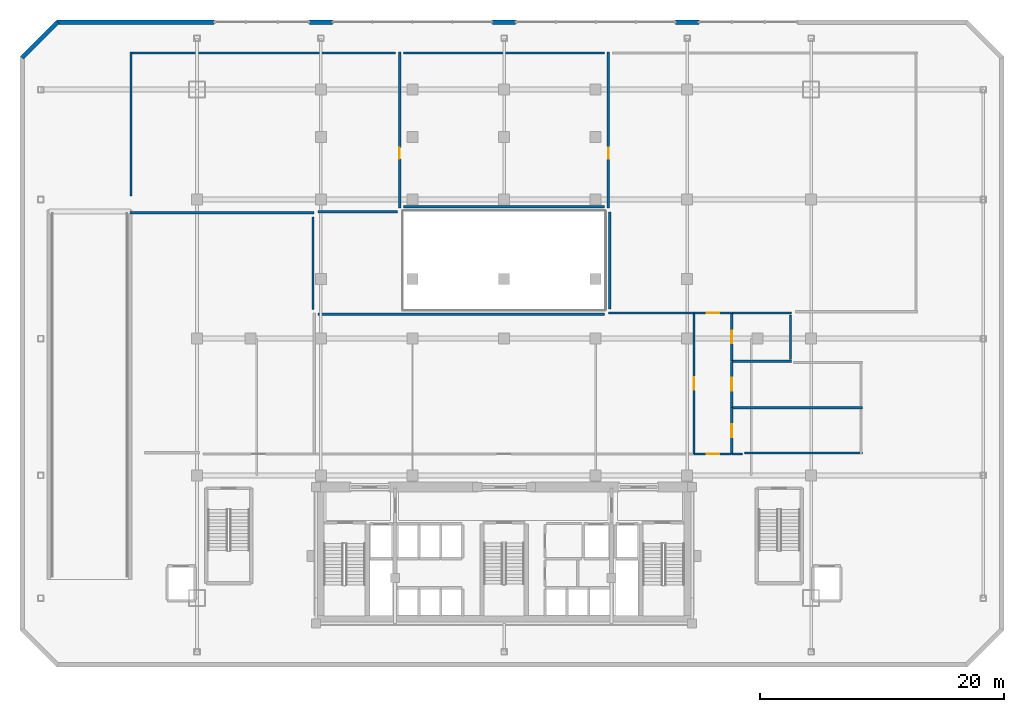
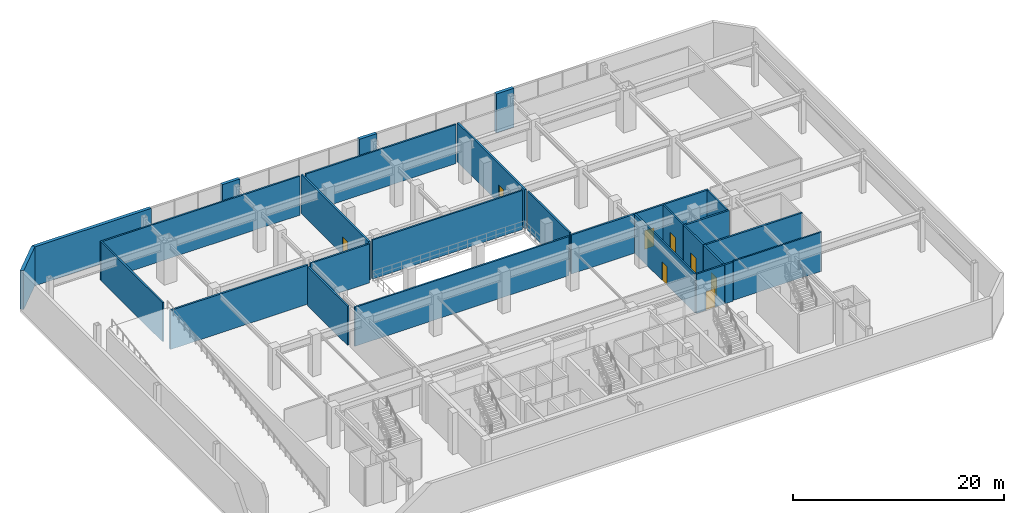
# One storey, part 13 of 16: 29 walls, 8 doors, 8 openings.
"""IFC4 building model written with IfcOpenShell, lengths in metres."""

import ifcopenshell
import ifcopenshell.guid

model = None  # the IFC model being written
_history = None  # IfcOwnerHistory: only IFC2X3 demands one
_inside = {}  # id of a spatial element -> (the spatial element, [elements in it])
_under = {}  # id of a project, library or spatial element -> (it, [spatial elements below it])
_declared = {}  # id of a project -> (the project, [libraries it declares])
_typed = {}  # id of a type object -> (the type object, [elements of that type])
_made_of = {}  # id of a material, layer set ... -> (it, [elements and type objects made of it])


def new_model(schema):
    """Start an empty IFC model of exactly this schema.

    Asked for "IFC4X3", IfcOpenShell would pick the latest addendum, in which some entities
    have other attributes; the version numbers below select the first issue.
    IFC2X3 requires an IfcOwnerHistory on every rooted entity: one is made here for all.
    """
    global model, _history
    if schema == "IFC4X3":
        model = ifcopenshell.file(schema_version=(4, 3, 0, 0))
    else:
        model = ifcopenshell.file(schema=schema)
    _inside.clear()
    _under.clear()
    _declared.clear()
    _typed.clear()
    _made_of.clear()
    _history = None
    if model.schema == "IFC2X3":
        org = make("IfcOrganization", Name="unknown")
        user = make(
            "IfcPersonAndOrganization",
            ThePerson=make("IfcPerson", FamilyName="unknown"),
            TheOrganization=org,
        )
        app = make(
            "IfcApplication",
            ApplicationDeveloper=org,
            Version="unknown",
            ApplicationFullName="unknown",
            ApplicationIdentifier="unknown",
        )
        _history = make(
            "IfcOwnerHistory",
            OwningUser=user,
            OwningApplication=app,
            ChangeAction="ADDED",
            CreationDate=0,
        )
    return model


def make(cls, **values):
    """One entity of the class cls with the attributes given. An attribute that is None is left unset."""
    return model.create_entity(
        cls, **{name: value for name, value in values.items() if value is not None}
    )


def rooted(cls, **values):
    """An entity with a GlobalId (a new one), such as an element, a storey or a relation."""
    return make(cls, GlobalId=ifcopenshell.guid.new(), OwnerHistory=_history, **values)


def si_unit(unit_type, name, prefix=None):
    """IfcSIUnit, for example si_unit("LENGTHUNIT", "METRE", prefix="MILLI")."""
    return make("IfcSIUnit", UnitType=unit_type, Prefix=prefix, Name=name)


def assignment(units):
    """IfcUnitAssignment: the units of a project."""
    return None if units is None else make("IfcUnitAssignment", Units=units)


def point(xyz):
    """IfcCartesianPoint."""
    return None if xyz is None else make("IfcCartesianPoint", Coordinates=xyz)


def direction(xyz):
    """IfcDirection."""
    return None if xyz is None else make("IfcDirection", DirectionRatios=xyz)


def frame(location, z_axis=None, x_axis=None):
    """IfcAxis2Placement3D, a coordinate frame: its origin and axes. An axis left out is left unset."""
    return make(
        "IfcAxis2Placement3D",
        Location=point(location),
        Axis=direction(z_axis),
        RefDirection=direction(x_axis),
    )


def frame_2d(location, x_axis=None):
    """IfcAxis2Placement2D, a coordinate frame in the plane: its origin and x axis."""
    return make(
        "IfcAxis2Placement2D", Location=point(location), RefDirection=direction(x_axis)
    )


def origin():
    """The frame at (0, 0, 0) with its axes left unset."""
    return frame((0.0, 0.0, 0.0))


def place(relative_to, where):
    """IfcLocalPlacement: puts the frame where relative to a parent placement (None: the world)."""
    return make(
        "IfcLocalPlacement", PlacementRelTo=relative_to, RelativePlacement=where
    )


def context(
    kind, dimensions, precision=None, world=None, true_north=None, identifier=None
):
    """IfcGeometricRepresentationContext, for example the 3D "Model" context."""
    return make(
        "IfcGeometricRepresentationContext",
        ContextIdentifier=identifier,
        ContextType=kind,
        CoordinateSpaceDimension=dimensions,
        Precision=precision,
        WorldCoordinateSystem=world,
        TrueNorth=true_north,
    )


def subcontext(parent, identifier, kind, view, scale=None):
    """IfcGeometricRepresentationSubContext, for example "Body" below "Model"."""
    return make(
        "IfcGeometricRepresentationSubContext",
        ContextIdentifier=identifier,
        ContextType=kind,
        ParentContext=parent,
        TargetScale=scale,
        TargetView=view,
    )


def project(units=None, contexts=None):
    """IfcProject with its units and contexts."""
    return rooted(
        "IfcProject",
        Name="project",
        RepresentationContexts=contexts,
        UnitsInContext=assignment(units),
    )


def spatial(cls, under=None, at=None, **own):
    """A site, building, storey or space (cls), placed at a placement, below another one or the project."""
    s = rooted(cls, ObjectPlacement=at, **own)
    if under is not None:
        _under.setdefault(under.id(), (under, []))[1].append(s)
    return s


def profile(cls, at=None, kind="AREA", **sizes):
    """A parametric profile (cls). Its sizes go by their IFC names, for example OverallWidth=200.0."""
    return make(cls, ProfileType=kind, Position=at, **sizes)


def rectangle(**sizes):
    """IfcRectangleProfileDef."""
    return profile("IfcRectangleProfileDef", **sizes)


def extrude(swept, where, along, depth):
    """IfcExtrudedAreaSolid: the profile swept, set in the frame where, extruded along a direction by depth."""
    return make(
        "IfcExtrudedAreaSolid",
        SweptArea=swept,
        Position=where,
        ExtrudedDirection=direction(along),
        Depth=depth,
    )


def shape(context_of_items, identifier, shape_type, items):
    """IfcShapeRepresentation: the items that make up one representation, for example the "Body"."""
    return make(
        "IfcShapeRepresentation",
        ContextOfItems=context_of_items,
        RepresentationIdentifier=identifier,
        RepresentationType=shape_type,
        Items=items,
    )


def material(Name=None, Category=None):
    """IfcMaterial."""
    return make("IfcMaterial", Name=Name, Category=Category)


def layer(
    of_material, thickness, ventilated=None, Name=None, Category=None, Priority=None
):
    """IfcMaterialLayer: one layer of a wall or slab, of a material (None: an air gap)."""
    return make(
        "IfcMaterialLayer",
        Material=of_material,
        LayerThickness=thickness,
        IsVentilated=ventilated,
        Name=Name,
        Category=Category,
        Priority=Priority,
    )


def layer_set(layers, Name=None):
    """IfcMaterialLayerSet."""
    return make("IfcMaterialLayerSet", MaterialLayers=layers, LayerSetName=Name)


def made_of(thing, what):
    """Note that an element or type object is made of a material, layer set ...; save() writes the relation."""
    if what is not None:
        _made_of.setdefault(what.id(), (what, []))[1].append(thing)
    return thing


def type_object(cls, material=None, **own):
    """A type object (cls), such as IfcWallType, which elements share."""
    return made_of(rooted(cls, **own), material)


def element(
    cls,
    number,
    at=None,
    inside=None,
    cuts=None,
    type_object=None,
    material=None,
    context=None,
    identifier="Body",
    shape_type=None,
    held_by="IfcProductDefinitionShape",
    body=None,
    shapes=None,
    **own,
):
    """One element of the class cls, such as IfcWall. Its Tag is "e" and its number.

    at: its placement. inside: the storey or other place that contains it. cuts: it is an
    opening in that element (IfcRelVoidsElement). A single representation is given by context,
    identifier, shape_type and body (its items); several are given by shapes. held_by: the class
    of the entity that holds the representations. save() writes the other relations.
    """
    e = rooted(cls, Tag="e%d" % number, ObjectPlacement=at, **own)
    if body is not None:
        shapes = [shape(context, identifier, shape_type, body)]
    if shapes is not None:
        e.Representation = make(held_by, Representations=shapes)
    if inside is not None:
        _inside.setdefault(inside.id(), (inside, []))[1].append(e)
    if cuts is not None:
        rooted(
            "IfcRelVoidsElement", RelatingBuildingElement=cuts, RelatedOpeningElement=e
        )
    if type_object is not None:
        _typed.setdefault(type_object.id(), (type_object, []))[1].append(e)
    return made_of(e, material)


def fill(opening, filler):
    """IfcRelFillsElement: the door or window that sits in an opening."""
    return rooted(
        "IfcRelFillsElement",
        RelatingOpeningElement=opening,
        RelatedBuildingElement=filler,
    )


def aggregate(whole, parts):
    """IfcRelAggregates: a whole, such as a stair, and the parts it consists of."""
    return rooted("IfcRelAggregates", RelatingObject=whole, RelatedObjects=parts)


def save(model, path):
    """Write the relations noted so far, then the file.

    IfcRelAggregates (storeys below a building ...), IfcRelContainedInSpatialStructure (elements
    in a storey), IfcRelDefinesByType, IfcRelAssociatesMaterial and IfcRelDeclares: one each for
    every whole, place, type object, material and project.
    """
    for whole, parts in _under.values():
        aggregate(whole, parts)
    for where, things in _inside.values():
        rooted(
            "IfcRelContainedInSpatialStructure",
            RelatedElements=things,
            RelatingStructure=where,
        )
    for kind, things in _typed.values():
        rooted("IfcRelDefinesByType", RelatedObjects=things, RelatingType=kind)
    for what, things in _made_of.values():
        rooted("IfcRelAssociatesMaterial", RelatedObjects=things, RelatingMaterial=what)
    for by, libraries in _declared.values():
        rooted("IfcRelDeclares", RelatingContext=by, RelatedDefinitions=libraries)
    model.write(path)


model = new_model("IFC4")

# Units and contexts
model_context = context("Model", 3, precision=1e-05, world=origin(), true_north=direction((0.0, 1.0)))
body_context = subcontext(model_context, "Body", "Model", "MODEL_VIEW")
ifc_project = project(units=[si_unit("LENGTHUNIT", "METRE"), si_unit("AREAUNIT", "SQUARE_METRE"), si_unit("VOLUMEUNIT", "CUBIC_METRE"), si_unit("PLANEANGLEUNIT", "RADIAN"), si_unit("MASSUNIT", "GRAM", prefix="KILO")], contexts=[model_context])

# Site, building, storey
site_placement = place(None, origin())
site = spatial("IfcSite", under=ifc_project, at=site_placement, CompositionType="ELEMENT")
building_placement = place(site_placement, origin())
building = spatial("IfcBuilding", under=site, at=building_placement, Name="Ventersveld Concourse Tower", CompositionType="ELEMENT")
storey_placement = place(building_placement, frame((0.0, 0.0, 10.199951171875)))
storey = spatial("IfcBuildingStorey", under=building, at=storey_placement, Name="L02", CompositionType="ELEMENT", Elevation=10.199951171875)

# Wall, opening, door
ifc_material_1 = material(Name="Fire-rated autoclaved aerated masonry blockwork", Category="masonry")
ifc_layer_1 = layer(ifc_material_1, 0.179931640625)
ifc_layer_set_1 = layer_set([ifc_layer_1], Name="Fire-rated autoclaved aerated masonry blockwork")
wall_type_1 = type_object("IfcWallType", Name="WL-CORR-180", PredefinedType="PARTITIONING", material=ifc_layer_set_1)
wall_1_placement = place(storey_placement, frame((44.324951171875, 14.14990234375, 0.0), z_axis=(0.0, 0.0, 1.0), x_axis=(1.0, 0.0, 0.0)))
wall_1 = element("IfcWall", 1, at=wall_1_placement, inside=storey, type_object=wall_type_1, Name="L02 Interior Partition SP-L02-COR-SP-L02-WCLOB", PredefinedType="PARTITIONING", context=body_context, shape_type="SweptSolid", body=[
    extrude(rectangle(XDim=3.070068359375, YDim=0.179931640625, at=frame_2d((1.53515625, 0.0))), origin(), (0.0, 0.0, 1.0), 4.52001953125),
])
opening_1_placement = place(wall_1_placement, frame((1.034912109375, 0.0, 0.0)))
opening_1 = element("IfcOpeningElement", 2, at=opening_1_placement, cuts=wall_1, Name="Opening FD3", PredefinedType="OPENING", context=body_context, shape_type="SweptSolid", body=[
    extrude(rectangle(XDim=1.0, YDim=2.14990234375, at=frame_2d((0.5, 1.074951171875))), frame((0.0, 0.10009765625, 0.0), z_axis=(0.0, -1.0, 0.0), x_axis=(1.0, 0.0, 0.0)), (0.0, 0.0, 1.0), 0.199951171875),
])
ifc_material_2 = material(Name="Solid-core hardwood veneer timber", Category="wood")
door_type_1 = type_object("IfcDoorType", Name="DR-FLAT-100", OperationType="NOTDEFINED", PredefinedType="DOOR", material=ifc_material_2)
door_1_placement = place(opening_1_placement, origin())
door_1 = element("IfcDoor", 3, at=door_1_placement, inside=storey, type_object=door_type_1, Name="L02 Interior Door SP-L02-COR to SP-L02-WCLOB (D-L02-0111)", OperationType="SINGLE_SWING_LEFT", OverallHeight=2.14990234375, OverallWidth=1.0, PredefinedType="DOOR", context=body_context, shape_type="SweptSolid", body=[
    extrude(rectangle(XDim=1.0, YDim=2.14990234375, at=frame_2d((0.5, 1.074951171875))), frame((0.0, 0.02490234375, 0.0), z_axis=(0.0, -1.0, 0.0), x_axis=(1.0, 0.0, 0.0)), (0.0, 0.0, 1.0), 0.050048828125),
])
fill(opening_1, door_1)

# Wall
wall_2_placement = place(storey_placement, frame((47.425048828125, 14.14990234375, 0.0), z_axis=(0.0, 0.0, 1.0), x_axis=(1.0, 0.0, 0.0)))
element("IfcWall", 4, at=wall_2_placement, inside=storey, type_object=wall_type_1, Name="L02 Interior Partition SP-L02-COR-SP-L02-MWC", PredefinedType="PARTITIONING", context=body_context, shape_type="SweptSolid", body=[
    extrude(rectangle(XDim=0.869873046875, YDim=0.179931640625, at=frame_2d((0.43505859375, 0.0))), origin(), (0.0, 0.0, 1.0), 4.52001953125),
])

# Wall, opening, door
wall_3_placement = place(storey_placement, frame((44.300048828125, 14.155029296875, 0.0), z_axis=(0.0, 0.0, 1.0), x_axis=(0.0, 1.0, 0.0)))
wall_3 = element("IfcWall", 5, at=wall_3_placement, inside=storey, type_object=wall_type_1, Name="L02 Interior Partition SP-L02-OFFC-SP-L02-WCLOB", PredefinedType="PARTITIONING", context=body_context, shape_type="SweptSolid", body=[
    extrude(rectangle(XDim=11.5400390625, YDim=0.179931640625, at=frame_2d((5.77001953125, 0.0))), origin(), (0.0, 0.0, 1.0), 4.52001953125),
])
opening_2_placement = place(wall_3_placement, frame((5.27001953125, 0.0, 0.0)))
opening_2 = element("IfcOpeningElement", 6, at=opening_2_placement, cuts=wall_3, Name="Opening FD3", PredefinedType="OPENING", context=body_context, shape_type="SweptSolid", body=[
    extrude(rectangle(XDim=1.0, YDim=2.14990234375, at=frame_2d((0.5, 1.074951171875))), frame((0.0, 0.10009765625, 0.0), z_axis=(0.0, -1.0, 0.0), x_axis=(1.0, 0.0, 0.0)), (0.0, 0.0, 1.0), 0.199951171875),
])
door_2_placement = place(opening_2_placement, origin())
door_2 = element("IfcDoor", 7, at=door_2_placement, inside=storey, type_object=door_type_1, Name="L02 Interior Door SP-L02-OFFC to SP-L02-WCLOB (D-L02-0112)", OperationType="SINGLE_SWING_RIGHT", OverallHeight=2.14990234375, OverallWidth=1.0, PredefinedType="DOOR", context=body_context, shape_type="SweptSolid", body=[
    extrude(rectangle(XDim=1.0, YDim=2.14990234375, at=frame_2d((0.5, 1.074951171875))), frame((0.0, 0.02490234375, 0.0), z_axis=(0.0, -1.0, 0.0), x_axis=(1.0, 0.0, 0.0)), (0.0, 0.0, 1.0), 0.050048828125),
])
fill(opening_2, door_2)

wall_4_placement = place(storey_placement, frame((44.324951171875, 25.699951171875, 0.0), z_axis=(0.0, 0.0, 1.0), x_axis=(1.0, 0.0, 0.0)))
wall_4 = element("IfcWall", 8, at=wall_4_placement, inside=storey, type_object=wall_type_1, Name="L02 Interior Partition SP-L02-OFF3-SP-L02-WCLOB", PredefinedType="PARTITIONING", context=body_context, shape_type="SweptSolid", body=[
    extrude(rectangle(XDim=3.070068359375, YDim=0.179931640625, at=frame_2d((1.53515625, 0.0))), origin(), (0.0, 0.0, 1.0), 4.52001953125),
])
opening_3_placement = place(wall_4_placement, frame((1.034912109375, 0.0, 0.0)))
opening_3 = element("IfcOpeningElement", 9, at=opening_3_placement, cuts=wall_4, Name="Opening FD3", PredefinedType="OPENING", context=body_context, shape_type="SweptSolid", body=[
    extrude(rectangle(XDim=1.0, YDim=2.14990234375, at=frame_2d((0.5, 1.074951171875))), frame((0.0, 0.10009765625, 0.0), z_axis=(0.0, -1.0, 0.0), x_axis=(1.0, 0.0, 0.0)), (0.0, 0.0, 1.0), 0.199951171875),
])
door_3_placement = place(opening_3_placement, origin())
door_3 = element("IfcDoor", 10, at=door_3_placement, inside=storey, type_object=door_type_1, Name="L02 Interior Door SP-L02-OFF3 to SP-L02-WCLOB (D-L02-0115)", OperationType="SINGLE_SWING_LEFT", OverallHeight=2.14990234375, OverallWidth=1.0, PredefinedType="DOOR", context=body_context, shape_type="SweptSolid", body=[
    extrude(rectangle(XDim=1.0, YDim=2.14990234375, at=frame_2d((0.5, 1.074951171875))), frame((0.0, 0.02490234375, 0.0), z_axis=(0.0, -1.0, 0.0), x_axis=(1.0, 0.0, 0.0)), (0.0, 0.0, 1.0), 0.050048828125),
])
fill(opening_3, door_3)

wall_5_placement = place(storey_placement, frame((47.39990234375, 14.155029296875, 0.0), z_axis=(0.0, 0.0, 1.0), x_axis=(0.0, 1.0, 0.0)))
wall_5 = element("IfcWall", 11, at=wall_5_placement, inside=storey, type_object=wall_type_1, Name="L02 Interior Partition SP-L02-WCLOB-SP-L02-MWC", PredefinedType="PARTITIONING", context=body_context, shape_type="SweptSolid", body=[
    extrude(rectangle(XDim=3.7900390625, YDim=0.179931640625, at=frame_2d((1.89501953125, 0.0))), origin(), (0.0, 0.0, 1.0), 4.52001953125),
])
opening_4_placement = place(wall_5_placement, frame((1.3701171875, 0.0, 0.0)))
opening_4 = element("IfcOpeningElement", 12, at=opening_4_placement, cuts=wall_5, Name="Opening ID3", PredefinedType="OPENING", context=body_context, shape_type="SweptSolid", body=[
    extrude(rectangle(XDim=1.050048828125, YDim=2.14990234375, at=frame_2d((0.52490234375, 1.074951171875))), frame((0.0, 0.10009765625, 0.0), z_axis=(0.0, -1.0, 0.0), x_axis=(1.0, 0.0, 0.0)), (0.0, 0.0, 1.0), 0.199951171875),
])
door_type_2 = type_object("IfcDoorType", Name="DR-AWC-105", OperationType="NOTDEFINED", PredefinedType="DOOR", material=ifc_material_2)
door_4_placement = place(opening_4_placement, origin())
door_4 = element("IfcDoor", 13, at=door_4_placement, inside=storey, type_object=door_type_2, Name="L02 Interior Door SP-L02-WCLOB to SP-L02-MWC (WD-L02-0116)", OperationType="SINGLE_SWING_RIGHT", OverallHeight=2.14990234375, OverallWidth=1.050048828125, PredefinedType="DOOR", context=body_context, shape_type="SweptSolid", body=[
    extrude(rectangle(XDim=1.050048828125, YDim=2.14990234375, at=frame_2d((0.52490234375, 1.074951171875))), frame((0.0, 0.02490234375, 0.0), z_axis=(0.0, -1.0, 0.0), x_axis=(1.0, 0.0, 0.0)), (0.0, 0.0, 1.0), 0.050048828125),
])
fill(opening_4, door_4)

wall_6_placement = place(storey_placement, frame((47.39990234375, 17.97509765625, 0.0), z_axis=(0.0, 0.0, 1.0), x_axis=(0.0, 1.0, 0.0)))
wall_6 = element("IfcWall", 14, at=wall_6_placement, inside=storey, type_object=wall_type_1, Name="L02 Interior Partition SP-L02-WCLOB-SP-L02-FWC", PredefinedType="PARTITIONING", context=body_context, shape_type="SweptSolid", body=[
    extrude(rectangle(XDim=3.77001953125, YDim=0.179931640625, at=frame_2d((1.885009765625, 0.0))), origin(), (0.0, 0.0, 1.0), 4.52001953125),
])
opening_5_placement = place(wall_6_placement, frame((1.360107421875, 0.0, 0.0)))
opening_5 = element("IfcOpeningElement", 15, at=opening_5_placement, cuts=wall_6, Name="Opening ID3", PredefinedType="OPENING", context=body_context, shape_type="SweptSolid", body=[
    extrude(rectangle(XDim=1.050048828125, YDim=2.14990234375, at=frame_2d((0.52490234375, 1.074951171875))), frame((0.0, 0.10009765625, 0.0), z_axis=(0.0, -1.0, 0.0), x_axis=(1.0, 0.0, 0.0)), (0.0, 0.0, 1.0), 0.199951171875),
])
door_5_placement = place(opening_5_placement, origin())
door_5 = element("IfcDoor", 16, at=door_5_placement, inside=storey, type_object=door_type_2, Name="L02 Interior Door SP-L02-WCLOB to SP-L02-FWC (WD-L02-0117)", OperationType="SINGLE_SWING_LEFT", OverallHeight=2.14990234375, OverallWidth=1.050048828125, PredefinedType="DOOR", context=body_context, shape_type="SweptSolid", body=[
    extrude(rectangle(XDim=1.050048828125, YDim=2.14990234375, at=frame_2d((0.52490234375, 1.074951171875))), frame((0.0, 0.02490234375, 0.0), z_axis=(0.0, -1.0, 0.0), x_axis=(1.0, 0.0, 0.0)), (0.0, 0.0, 1.0), 0.050048828125),
])
fill(opening_5, door_5)

wall_7_placement = place(storey_placement, frame((47.39990234375, 21.77490234375, 0.0), z_axis=(0.0, 0.0, 1.0), x_axis=(0.0, 1.0, 0.0)))
wall_7 = element("IfcWall", 17, at=wall_7_placement, inside=storey, type_object=wall_type_1, Name="L02 Interior Partition SP-L02-WCLOB-SP-L02-AWC", PredefinedType="PARTITIONING", context=body_context, shape_type="SweptSolid", body=[
    extrude(rectangle(XDim=3.920166015625, YDim=0.179931640625, at=frame_2d((1.9599609375, 0.0))), origin(), (0.0, 0.0, 1.0), 4.52001953125),
])
opening_6_placement = place(wall_7_placement, frame((1.43505859375, 0.0, 0.0)))
opening_6 = element("IfcOpeningElement", 18, at=opening_6_placement, cuts=wall_7, Name="Opening ID3", PredefinedType="OPENING", context=body_context, shape_type="SweptSolid", body=[
    extrude(rectangle(XDim=1.050048828125, YDim=2.14990234375, at=frame_2d((0.52490234375, 1.074951171875))), frame((0.0, 0.10009765625, 0.0), z_axis=(0.0, -1.0, 0.0), x_axis=(1.0, 0.0, 0.0)), (0.0, 0.0, 1.0), 0.199951171875),
])
door_6_placement = place(opening_6_placement, origin())
door_6 = element("IfcDoor", 19, at=door_6_placement, inside=storey, type_object=door_type_2, Name="L02 Interior Door SP-L02-WCLOB to SP-L02-AWC (WD-L02-0118)", OperationType="SINGLE_SWING_RIGHT", OverallHeight=2.14990234375, OverallWidth=1.050048828125, PredefinedType="DOOR", context=body_context, shape_type="SweptSolid", body=[
    extrude(rectangle(XDim=1.050048828125, YDim=2.14990234375, at=frame_2d((0.52490234375, 1.074951171875))), frame((0.0, 0.02490234375, 0.0), z_axis=(0.0, -1.0, 0.0), x_axis=(1.0, 0.0, 0.0)), (0.0, 0.0, 1.0), 0.050048828125),
])
fill(opening_6, door_6)

# Walls
wall_8_placement = place(storey_placement, frame((36.99267578125, 25.60009765625, 0.0), z_axis=(0.0, 0.0, 1.0), x_axis=(-1.0, 0.0, 0.0)))
element("IfcWall", 20, at=wall_8_placement, inside=storey, type_object=wall_type_1, Name="L02 Room Enclosure Wall SP-L02-OFFC", PredefinedType="PARTITIONING", context=body_context, shape_type="SweptSolid", body=[
    extrude(rectangle(XDim=23.4677734375, YDim=0.179931640625, at=frame_2d((11.73388671875, 0.0))), origin(), (0.0, 0.0, 1.0), 4.52001953125),
])
wall_9_placement = place(storey_placement, frame((13.10009765625, 26.00732421875, 0.0), z_axis=(0.0, 0.0, 1.0), x_axis=(0.0, 1.0, 0.0)))
element("IfcWall", 21, at=wall_9_placement, inside=storey, type_object=wall_type_1, Name="L02 Room Enclosure Wall SP-L02-OFF1", PredefinedType="PARTITIONING", context=body_context, shape_type="SweptSolid", body=[
    extrude(rectangle(XDim=7.567626953125, YDim=0.179931640625, at=frame_2d((3.78369140625, 0.0))), origin(), (0.0, 0.0, 1.0), 4.52001953125),
])
wall_10_placement = place(storey_placement, frame((13.50732421875, 34.0, 0.0), z_axis=(0.0, 0.0, 1.0), x_axis=(1.0, 0.0, 0.0)))
element("IfcWall", 22, at=wall_10_placement, inside=storey, type_object=wall_type_1, Name="L02 Room Enclosure Wall SP-L02-OFF2", PredefinedType="PARTITIONING", context=body_context, shape_type="SweptSolid", body=[
    extrude(rectangle(XDim=6.49951171875, YDim=0.179931640625, at=frame_2d((3.249755859375, 0.0))), origin(), (0.0, 0.0, 1.0), 4.52001953125),
])
wall_11_placement = place(storey_placement, frame((19.875, 47.0, 0.0), z_axis=(0.0, 0.0, 1.0), x_axis=(-1.0, 0.0, 0.0)))
element("IfcWall", 23, at=wall_11_placement, inside=storey, type_object=wall_type_1, Name="L02 Room Enclosure Wall SP-L02-OFF2", PredefinedType="PARTITIONING", context=body_context, shape_type="SweptSolid", body=[
    extrude(rectangle(XDim=21.77001953125, YDim=0.179931640625, at=frame_2d((10.885009765625, 0.0))), origin(), (0.0, 0.0, 1.0), 4.52001953125),
])
wall_12_placement = place(storey_placement, frame((-1.800048828125, 47.094970703125, 0.0), z_axis=(0.0, 0.0, 1.0), x_axis=(0.0, -1.0, 0.0)))
element("IfcWall", 24, at=wall_12_placement, inside=storey, type_object=wall_type_1, Name="L02 Room Enclosure Wall SP-L02-OFF2", PredefinedType="PARTITIONING", context=body_context, shape_type="SweptSolid", body=[
    extrude(rectangle(XDim=11.79296875, YDim=0.179931640625, at=frame_2d((5.896484375, 0.0))), origin(), (0.0, 0.0, 1.0), 4.52001953125),
])
for number, where, z_axis, x_axis, name in (
    (25, (20.52490234375, 34.39990234375, 0.0), (0.0, 0.0, 1.0), (1.0, 0.0, 0.0), "L02 Room Enclosure Wall SP-L02-CONF"),
    (26, (36.97509765625, 47.0, 0.0), (0.0, 0.0, 1.0), (-1.0, 0.0, 0.0), "L02 Room Enclosure Wall SP-L02-CONF"),
):
    element("IfcWall", number, at=place(storey_placement, frame(where, z_axis=z_axis, x_axis=x_axis)), inside=storey, type_object=wall_type_1, Name=name, PredefinedType="PARTITIONING", context=body_context, shape_type="SweptSolid", body=[
        extrude(rectangle(XDim=16.4501953125, YDim=0.179931640625, at=frame_2d((8.22509765625, 0.0))), origin(), (0.0, 0.0, 1.0), 4.52001953125),
    ])
wall_13_placement = place(storey_placement, frame((37.39990234375, 33.99267578125, 0.0), z_axis=(0.0, 0.0, 1.0), x_axis=(0.0, -1.0, 0.0)))
element("IfcWall", 27, at=wall_13_placement, inside=storey, type_object=wall_type_1, Name="L02 Room Enclosure Wall SP-L02-OFF3", PredefinedType="PARTITIONING", context=body_context, shape_type="SweptSolid", body=[
    extrude(rectangle(XDim=7.9677734375, YDim=0.179931640625, at=frame_2d((3.98388671875, 0.0))), origin(), (0.0, 0.0, 1.0), 4.52001953125),
])
ifc_layer_2 = layer(ifc_material_1, 0.199951171875)
ifc_layer_set_2 = layer_set([ifc_layer_2], Name="Fire-rated autoclaved aerated masonry blockwork")
wall_type_2 = type_object("IfcWallType", Name="WL-DEMISE-200", PredefinedType="PARTITIONING", material=ifc_layer_set_2)
wall_14_placement = place(storey_placement, frame((37.304931640625, 25.699951171875, 0.0), z_axis=(0.0, 0.0, 1.0), x_axis=(1.0, 0.0, 0.0)))
element("IfcWall", 28, at=wall_14_placement, inside=storey, type_object=wall_type_2, Name="L02 Interior Partition SP-L02-OFFC-SP-L02-OFF3", PredefinedType="PARTITIONING", context=body_context, shape_type="SweptSolid", body=[
    extrude(rectangle(XDim=6.989990234375, YDim=0.199951171875, at=frame_2d((3.4951171875, 0.0))), origin(), (0.0, 0.0, 1.0), 4.52001953125),
])
wall_15_placement = place(storey_placement, frame((-1.89501953125, 33.89990234375, 0.0), z_axis=(0.0, 0.0, 1.0), x_axis=(1.0, 0.0, 0.0)))
element("IfcWall", 29, at=wall_15_placement, inside=storey, type_object=wall_type_2, Name="L02 Interior Partition SP-L02-OFF1-SP-L02-OFF2", PredefinedType="PARTITIONING", context=body_context, shape_type="SweptSolid", body=[
    extrude(rectangle(XDim=15.090087890625, YDim=0.199951171875, at=frame_2d((7.544921875, 0.0))), origin(), (0.0, 0.0, 1.0), 4.52001953125),
])

# Wall, opening, door
wall_16_placement = place(storey_placement, frame((20.199951171875, 34.304931640625, 0.0), z_axis=(0.0, 0.0, 1.0), x_axis=(0.0, 1.0, 0.0)))
wall_16 = element("IfcWall", 30, at=wall_16_placement, inside=storey, type_object=wall_type_2, Name="L02 Interior Partition SP-L02-OFF2-SP-L02-CONF", PredefinedType="PARTITIONING", context=body_context, shape_type="SweptSolid", body=[
    extrude(rectangle(XDim=12.7900390625, YDim=0.199951171875, at=frame_2d((6.39501953125, 0.0))), origin(), (0.0, 0.0, 1.0), 4.52001953125),
])
opening_7_placement = place(wall_16_placement, frame((4.0166015625, 0.0, 0.0)))
opening_7 = element("IfcOpeningElement", 31, at=opening_7_placement, cuts=wall_16, Name="Opening ID1", PredefinedType="OPENING", context=body_context, shape_type="SweptSolid", body=[
    extrude(rectangle(XDim=0.919921875, YDim=2.10009765625, at=frame_2d((0.4599609375, 1.050048828125))), frame((0.0, 0.10986328125, 0.0), z_axis=(0.0, -1.0, 0.0), x_axis=(1.0, 0.0, 0.0)), (0.0, 0.0, 1.0), 0.219970703125),
])
door_type_3 = type_object("IfcDoorType", Name="DR-ROOM-092", OperationType="NOTDEFINED", PredefinedType="DOOR", material=ifc_material_2)
door_7_placement = place(opening_7_placement, origin())
door_7 = element("IfcDoor", 32, at=door_7_placement, inside=storey, type_object=door_type_3, Name="L02 Interior Door SP-L02-OFF2 to SP-L02-CONF (D-L02-0113)", OperationType="SINGLE_SWING_LEFT", OverallHeight=2.10009765625, OverallWidth=0.919921875, PredefinedType="DOOR", context=body_context, shape_type="SweptSolid", body=[
    extrude(rectangle(XDim=0.919921875, YDim=2.10009765625, at=frame_2d((0.4599609375, 1.050048828125))), frame((0.0, 0.02490234375, 0.0), z_axis=(0.0, -1.0, 0.0), x_axis=(1.0, 0.0, 0.0)), (0.0, 0.0, 1.0), 0.050048828125),
])
fill(opening_7, door_7)

wall_17_placement = place(storey_placement, frame((37.300048828125, 34.304931640625, 0.0), z_axis=(0.0, 0.0, 1.0), x_axis=(0.0, 1.0, 0.0)))
wall_17 = element("IfcWall", 33, at=wall_17_placement, inside=storey, type_object=wall_type_2, Name="L02 Interior Partition SP-L02-CONF-SP-L02-OFF3", PredefinedType="PARTITIONING", context=body_context, shape_type="SweptSolid", body=[
    extrude(rectangle(XDim=12.7900390625, YDim=0.199951171875, at=frame_2d((6.39501953125, 0.0))), origin(), (0.0, 0.0, 1.0), 4.52001953125),
])
opening_8_placement = place(wall_17_placement, frame((4.0166015625, 0.0, 0.0)))
opening_8 = element("IfcOpeningElement", 34, at=opening_8_placement, cuts=wall_17, Name="Opening ID1", PredefinedType="OPENING", context=body_context, shape_type="SweptSolid", body=[
    extrude(rectangle(XDim=0.919921875, YDim=2.10009765625, at=frame_2d((0.4599609375, 1.050048828125))), frame((0.0, 0.10986328125, 0.0), z_axis=(0.0, -1.0, 0.0), x_axis=(1.0, 0.0, 0.0)), (0.0, 0.0, 1.0), 0.219970703125),
])
door_8_placement = place(opening_8_placement, origin())
door_8 = element("IfcDoor", 35, at=door_8_placement, inside=storey, type_object=door_type_3, Name="L02 Interior Door SP-L02-CONF to SP-L02-OFF3 (D-L02-0114)", OperationType="SINGLE_SWING_RIGHT", OverallHeight=2.10009765625, OverallWidth=0.919921875, PredefinedType="DOOR", context=body_context, shape_type="SweptSolid", body=[
    extrude(rectangle(XDim=0.919921875, YDim=2.10009765625, at=frame_2d((0.4599609375, 1.050048828125))), frame((0.0, 0.02490234375, 0.0), z_axis=(0.0, -1.0, 0.0), x_axis=(1.0, 0.0, 0.0)), (0.0, 0.0, 1.0), 0.050048828125),
])
fill(opening_8, door_8)

# Walls
wall_18_placement = place(storey_placement, frame((47.425048828125, 25.699951171875, 0.0), z_axis=(0.0, 0.0, 1.0), x_axis=(1.0, 0.0, 0.0)))
element("IfcWall", 36, at=wall_18_placement, inside=storey, type_object=wall_type_2, Name="L02 Interior Partition SP-L02-OFF3-SP-L02-AWC", PredefinedType="PARTITIONING", context=body_context, shape_type="SweptSolid", body=[
    extrude(rectangle(XDim=4.869873046875, YDim=0.199951171875, at=frame_2d((2.43505859375, 0.0))), origin(), (0.0, 0.0, 1.0), 4.52001953125),
])
wall_19_placement = place(storey_placement, frame((47.405029296875, 17.93994140625, 0.0), z_axis=(0.0, 0.0, 1.0), x_axis=(1.0, 0.0, 0.0)))
element("IfcWall", 37, at=wall_19_placement, inside=storey, type_object=wall_type_2, Name="L02 Interior Partition SP-L02-MWC-SP-L02-FWC", PredefinedType="PARTITIONING", context=body_context, shape_type="SweptSolid", body=[
    extrude(rectangle(XDim=10.68994140625, YDim=0.199951171875, at=frame_2d((5.344970703125, 0.0))), origin(), (0.0, 0.0, 1.0), 4.52001953125),
])
wall_20_placement = place(storey_placement, frame((47.405029296875, 21.739990234375, 0.0), z_axis=(0.0, 0.0, 1.0), x_axis=(1.0, 0.0, 0.0)))
element("IfcWall", 38, at=wall_20_placement, inside=storey, type_object=wall_type_2, Name="L02 Interior Partition SP-L02-FWC-SP-L02-AWC", PredefinedType="PARTITIONING", context=body_context, shape_type="SweptSolid", body=[
    extrude(rectangle(XDim=4.889892578125, YDim=0.199951171875, at=frame_2d((2.44482421875, 0.0))), origin(), (0.0, 0.0, 1.0), 4.52001953125),
])
ifc_material_3 = material(Name="Precast concrete C45/55", Category="concrete")
ifc_layer_3 = layer(ifc_material_3, 0.35009765625)
ifc_layer_set_3 = layer_set([ifc_layer_3], Name="Precast concrete C45/55")
wall_type_3 = type_object("IfcWallType", Name="WL-PREC-350", PredefinedType="SOLIDWALL", material=ifc_layer_set_3)
wall_21_placement = place(storey_placement, frame((-7.860107421875, 49.52001953125, 0.0), z_axis=(0.0, 0.0, 1.0), x_axis=(1.0, 0.0, 0.0)))
element("IfcWall", 39, at=wall_21_placement, inside=storey, type_object=wall_type_3, Name="L02 North Precast Pier NW", PredefinedType="SOLIDWALL", context=body_context, shape_type="SweptSolid", body=[
    extrude(rectangle(XDim=12.860107421875, YDim=0.35009765625, at=frame_2d((6.43017578125, 0.0))), origin(), (0.0, 0.0, 1.0), 4.52001953125),
])
for number, where, z_axis, x_axis, name in (
    (40, (12.800048828125, 49.52001953125, 0.0), (0.0, 0.0, 1.0), (1.0, 0.0, 0.0), "L02 North Precast Pier P1"),
    (41, (27.800048828125, 49.52001953125, 0.0), (0.0, 0.0, 1.0), (1.0, 0.0, 0.0), "L02 North Precast Pier P2"),
    (42, (42.800048828125, 49.52001953125, 0.0), (0.0, 0.0, 1.0), (1.0, 0.0, 0.0), "L02 North Precast Pier P3"),
):
    element("IfcWall", number, at=place(storey_placement, frame(where, z_axis=z_axis, x_axis=x_axis)), inside=storey, type_object=wall_type_3, Name=name, PredefinedType="SOLIDWALL", context=body_context, shape_type="SweptSolid", body=[
        extrude(rectangle(XDim=1.89990234375, YDim=0.35009765625, at=frame_2d((0.949951171875, 0.0))), origin(), (0.0, 0.0, 1.0), 4.52001953125),
    ])
wall_22_placement = place(storey_placement, frame((-7.801025390625, 49.54443359375, 0.0), z_axis=(0.0, 0.0, 1.0), x_axis=(-0.707106781187, -0.707106781187, 0.0)))
element("IfcWall", 43, at=wall_22_placement, inside=storey, type_object=wall_type_3, Name="L02 Podium Precast Perimeter Wall 06", PredefinedType="SOLIDWALL", context=body_context, shape_type="SweptSolid", body=[
    extrude(rectangle(XDim=4.16259765625, YDim=0.35009765625, at=frame_2d((2.081298828125, 0.0))), origin(), (0.0, 0.0, 1.0), 4.52001953125),
])
ifc_material_4 = material(Name="Autoclaved aerated masonry blockwork", Category="masonry")
ifc_layer_4 = layer(ifc_material_4, 0.1650390625)
ifc_layer_set_4 = layer_set([ifc_layer_4], Name="Autoclaved aerated masonry blockwork")
wall_type_4 = type_object("IfcWallType", Name="WL-WET-165", PredefinedType="PLUMBINGWALL", material=ifc_layer_set_4)
wall_23_placement = place(storey_placement, frame((48.43994140625, 14.25, 0.0), z_axis=(0.0, 0.0, 1.0), x_axis=(1.0, 0.0, 0.0)))
element("IfcWall", 44, at=wall_23_placement, inside=storey, type_object=wall_type_4, Name="L02 Room Enclosure Wall SP-L02-MWC", PredefinedType="PLUMBINGWALL", context=body_context, shape_type="SweptSolid", body=[
    extrude(rectangle(XDim=9.655029296875, YDim=0.1650390625, at=frame_2d((4.82763671875, 0.0))), origin(), (0.0, 0.0, 1.0), 4.52001953125),
])
wall_24_placement = place(storey_placement, frame((52.199951171875, 21.905029296875, 0.0), z_axis=(0.0, 0.0, 1.0), x_axis=(0.0, 1.0, 0.0)))
element("IfcWall", 45, at=wall_24_placement, inside=storey, type_object=wall_type_4, Name="L02 Room Enclosure Wall SP-L02-AWC", PredefinedType="PLUMBINGWALL", context=body_context, shape_type="SweptSolid", body=[
    extrude(rectangle(XDim=3.6298828125, YDim=0.1650390625, at=frame_2d((1.81494140625, 0.0))), origin(), (0.0, 0.0, 1.0), 4.52001953125),
])

save(model, "model.ifc")
